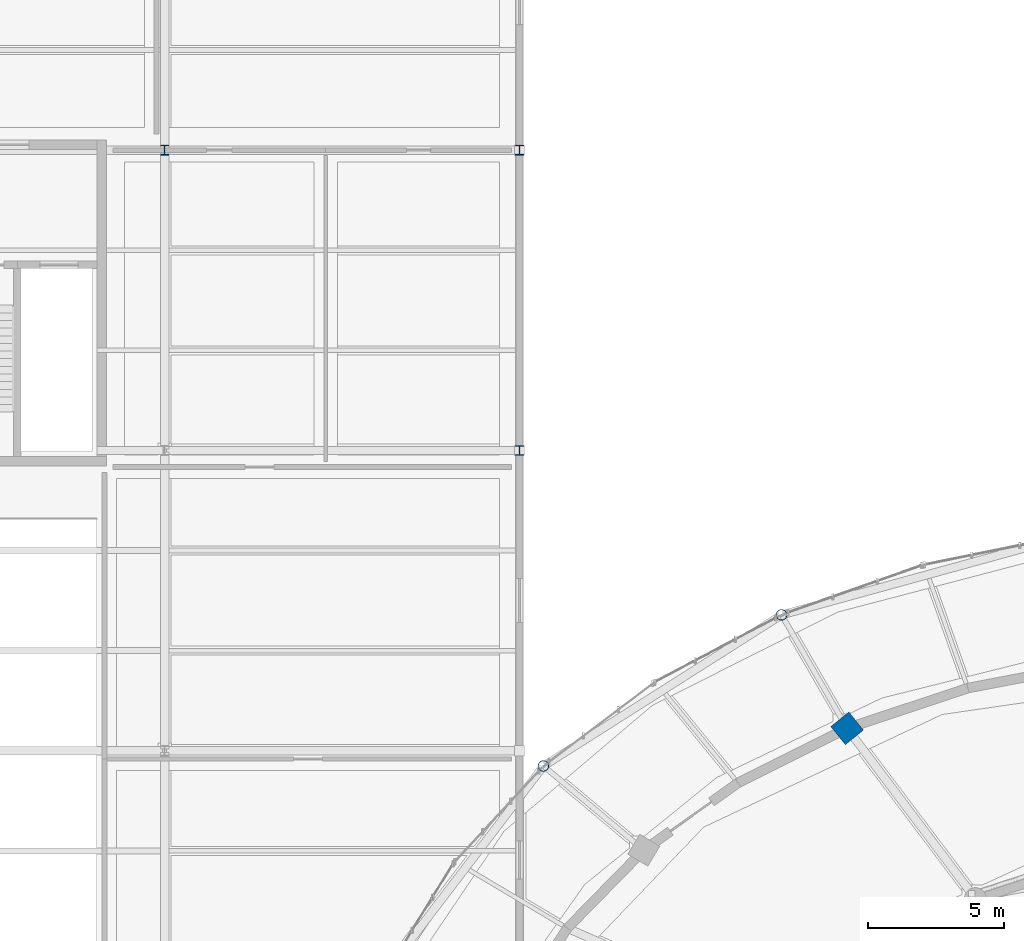
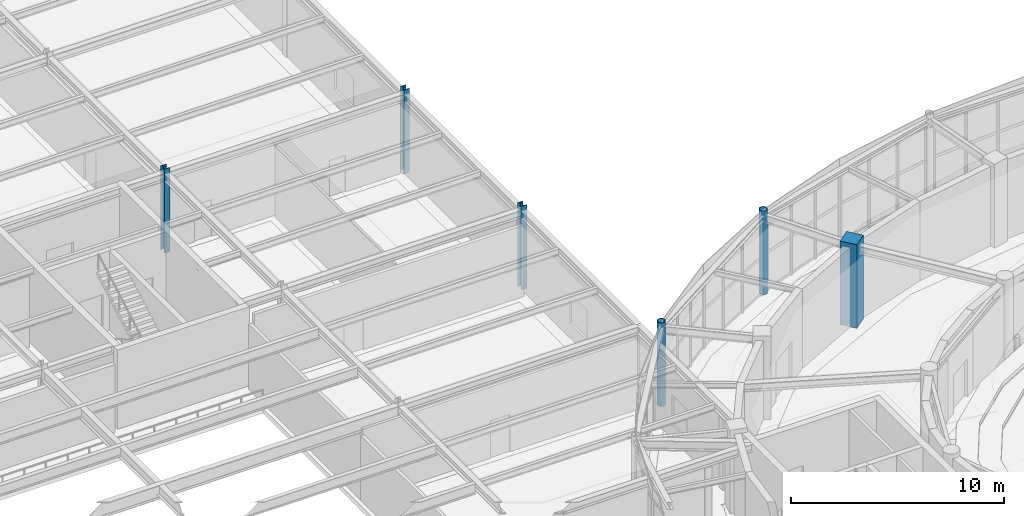
# One storey, part 9 of 100: 6 columns.
"""IFC4 building model written with IfcOpenShell, lengths in metres."""

from ifc_helpers import new_model, si_unit, direction, frame, origin, origin_2d, place, context, subcontext, project, spatial, rectangle, hollow_circle, i_section, extrude, material, material_profile, profile_set, type_object, element, save


model = new_model("IFC4")

# Units and contexts
model_context = context("Model", 3, precision=1e-05, world=origin(), true_north=direction((0.0, 1.0)))
body_context = subcontext(model_context, "Body", "Model", "MODEL_VIEW")
ifc_project = project(units=[si_unit("LENGTHUNIT", "METRE"), si_unit("AREAUNIT", "SQUARE_METRE"), si_unit("VOLUMEUNIT", "CUBIC_METRE"), si_unit("PLANEANGLEUNIT", "RADIAN"), si_unit("MASSUNIT", "GRAM", prefix="KILO")], contexts=[model_context])

# Site, building, storey
site_placement = place(None, origin())
site = spatial("IfcSite", under=ifc_project, at=site_placement, CompositionType="ELEMENT")
building_placement = place(site_placement, origin())
building = spatial("IfcBuilding", under=site, at=building_placement, Name="Tarnveldt Headland Concert Hall", CompositionType="ELEMENT")
storey_placement = place(building_placement, frame((0.0, 0.0, 4.800048828125)))
storey = spatial("IfcBuildingStorey", under=building, at=storey_placement, Name="L01", CompositionType="ELEMENT", Elevation=4.800048828125)

# Columns
ifc_material_1 = material(Name="Concrete C40/50", Category="concrete")
ifc_material_profile_1 = material_profile(ifc_material_1, rectangle(XDim=0.85009765625, YDim=0.85009765625, at=origin_2d()), Name="RC 850x850", Category="concrete")
ifc_profile_set_1 = profile_set([ifc_material_profile_1], Name="Concrete C40/50")
column_type_1 = type_object("IfcColumnType", Name="CC-850", PredefinedType="COLUMN", material=ifc_profile_set_1)
column_placement = place(storey_placement, frame((69.5, 71.820556640625, 0.0), z_axis=(0.0, 0.0, 1.0), x_axis=(-0.628641963719, 0.777694851116, 0.0)))
element("IfcColumn", 1, at=column_placement, inside=storey, type_object=column_type_1, Name="Column V2DC07 L01", PredefinedType="COLUMN", context=body_context, shape_type="SweptSolid", body=[
    extrude(rectangle(XDim=0.85009765625, YDim=0.85009765625, at=origin_2d()), origin(), (0.0, 0.0, 1.0), 4.800048828125),
])
ifc_material_2 = material(Name="Steel S355", Category="steel")
ifc_material_profile_2 = material_profile(ifc_material_2, hollow_circle(Radius=0.203125, WallThickness=0.02490234375, at=origin_2d()), Name="CHS 406.4x25", Category="steel")
ifc_profile_set_2 = profile_set([ifc_material_profile_2], Name="Steel S355")
column_type_2 = type_object("IfcColumnType", Name="SC-CHS406", PredefinedType="COLUMN", material=ifc_profile_set_2)
for number, where, z_axis, x_axis, name in (
    (2, (67.10009765625, 75.977294921875, 0.0), (0.0, 0.0, 1.0), (-0.606959801962, 0.79473253287, 0.0), "Column V1C07 L01"),
    (3, (58.373779296875, 70.441162109375, 0.0), (0.0, 0.0, 1.0), (-0.84442143206, 0.535679423796, 0.0), "Column V1C08 L01"),
):
    element("IfcColumn", number, at=place(storey_placement, frame(where, z_axis=z_axis, x_axis=x_axis)), inside=storey, type_object=column_type_2, Name=name, PredefinedType="COLUMN", context=body_context, shape_type="SweptSolid", body=[
        extrude(hollow_circle(Radius=0.203125, WallThickness=0.02490234375, at=origin_2d()), origin(), (0.0, 0.0, 1.0), 4.800048828125),
    ])
ifc_material_profile_3 = material_profile(ifc_material_2, i_section(OverallWidth=0.300048828125, OverallDepth=0.360107421875, WebThickness=0.012451171875, FlangeThickness=0.0224609375, FilletRadius=0.027099609375, at=origin_2d()), Name="HEB360", Category="steel")
ifc_profile_set_3 = profile_set([ifc_material_profile_3], Name="Steel S355")
column_type_3 = type_object("IfcColumnType", Name="SC-HEB360", PredefinedType="COLUMN", material=ifc_profile_set_3)
for number, where, z_axis, x_axis, name in (
    (4, (44.5, 93.0, 0.0), (0.0, 0.0, 1.0), (1.0, 0.0, 0.0), "Column V5C19 L01"),
    (5, (57.5, 82.0, 0.0), (0.0, 0.0, 1.0), (1.0, 0.0, 0.0), "Column V5C22 L01"),
    (6, (57.5, 93.0, 0.0), (0.0, 0.0, 1.0), (1.0, 0.0, 0.0), "Column V5C23 L01"),
):
    element("IfcColumn", number, at=place(storey_placement, frame(where, z_axis=z_axis, x_axis=x_axis)), inside=storey, type_object=column_type_3, Name=name, PredefinedType="COLUMN", context=body_context, shape_type="SweptSolid", body=[
        extrude(i_section(OverallWidth=0.300048828125, OverallDepth=0.360107421875, WebThickness=0.012451171875, FlangeThickness=0.0224609375, FilletRadius=0.027099609375, at=origin_2d()), origin(), (0.0, 0.0, 1.0), 4.800048828125),
    ])

save(model, "model.ifc")
